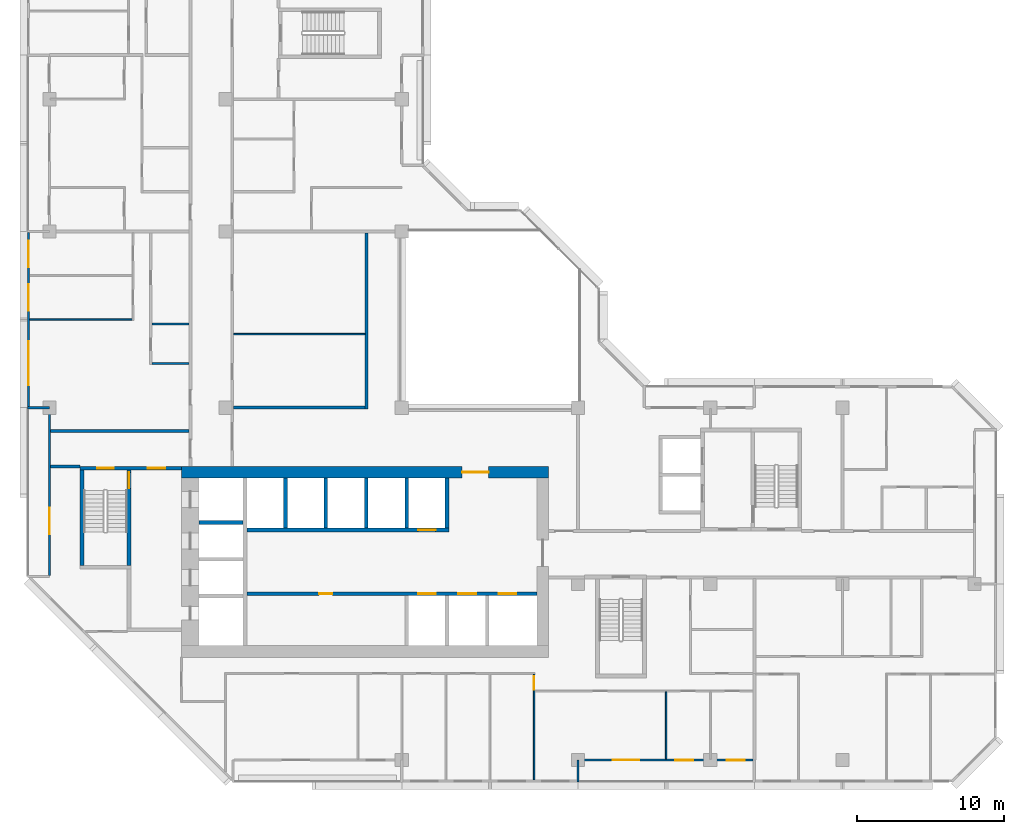
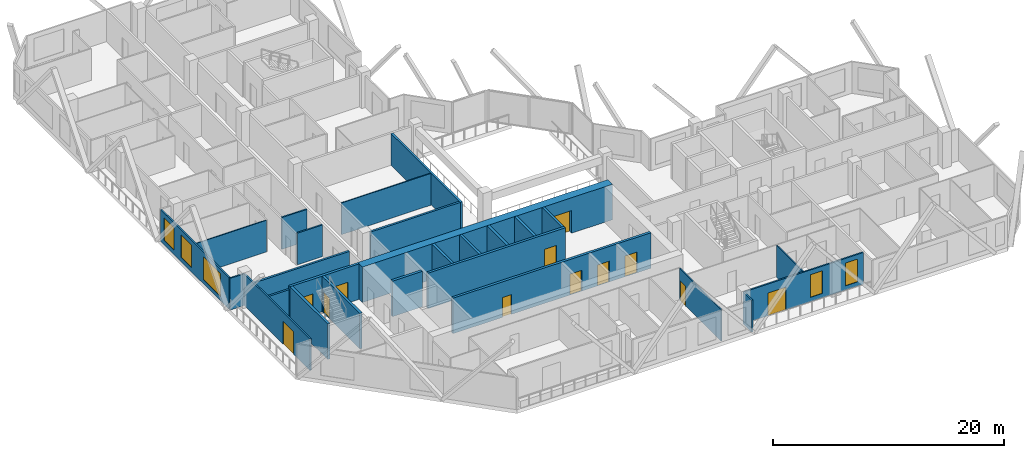
# One storey, part 5 of 14: 27 walls, 12 doors, 5 windows, 17 openings.
"""IFC4 building model written with IfcOpenShell, lengths in metres."""

from ifc_helpers import new_model, si_unit, direction, frame, frame_2d, origin, place, context, subcontext, project, spatial, rectangle, extrude, material, layer, layer_set, type_object, element, fill, save


model = new_model("IFC4")

# Units and contexts
model_context = context("Model", 3, precision=1e-05, world=origin(), true_north=direction((0.0, 1.0)))
body_context = subcontext(model_context, "Body", "Model", "MODEL_VIEW")
ifc_project = project(units=[si_unit("LENGTHUNIT", "METRE"), si_unit("AREAUNIT", "SQUARE_METRE"), si_unit("VOLUMEUNIT", "CUBIC_METRE"), si_unit("PLANEANGLEUNIT", "RADIAN"), si_unit("MASSUNIT", "GRAM", prefix="KILO")], contexts=[model_context])

# Site, building, storey
site_placement = place(None, origin())
site = spatial("IfcSite", under=ifc_project, at=site_placement, CompositionType="ELEMENT")
building_placement = place(site_placement, origin())
building = spatial("IfcBuilding", under=site, at=building_placement, Name="Chenar Terraces", CompositionType="ELEMENT")
storey_placement = place(building_placement, frame((0.0, 0.0, 179.89990234375)))
storey = spatial("IfcBuildingStorey", under=building, at=storey_placement, Name="L41", CompositionType="ELEMENT", Elevation=179.89990234375)

# Wall, openings, doors
ifc_material_1 = material(Name="Concrete C60/75", Category="concrete")
ifc_layer_1 = layer(ifc_material_1, 0.25)
ifc_layer_set_1 = layer_set([ifc_layer_1], Name="Concrete C60/75")
wall_type_1 = type_object("IfcWallType", Name="Core wall 250 Concrete C60/75", PredefinedType="SHEAR", material=ifc_layer_set_1)
wall_1_placement = place(storey_placement, frame((13.449951171875, 11.324951171875, 0.0), z_axis=(0.0, 0.0, 1.0), x_axis=(1.0, 0.0, 0.0)))
wall_1 = element("IfcWall", 1, at=wall_1_placement, inside=storey, type_object=wall_type_1, Name="Core wall SF L41", PredefinedType="SHEAR", context=body_context, shape_type="SweptSolid", body=[
    extrude(rectangle(XDim=19.75, YDim=0.25, at=frame_2d((9.875, 0.0))), origin(), (0.0, 0.0, 1.0), 3.75),
])
opening_1_placement = place(wall_1_placement, frame((11.64990234375, 0.0, 0.0)))
opening_1 = element("IfcOpeningElement", 2, at=opening_1_placement, cuts=wall_1, Name="Opening DL41-LD1", PredefinedType="OPENING", context=body_context, shape_type="SweptSolid", body=[
    extrude(rectangle(XDim=1.199951171875, YDim=2.199951171875, at=frame_2d((0.60009765625, 1.10009765625))), frame((0.0, 0.135009765625, 0.0), z_axis=(0.0, -1.0, 0.0), x_axis=(1.0, 0.0, 0.0)), (0.0, 0.0, 1.0), 0.27001953125),
])
opening_2_placement = place(wall_1_placement, frame((14.39990234375, 0.0, 0.0)))
opening_2 = element("IfcOpeningElement", 3, at=opening_2_placement, cuts=wall_1, Name="Opening DL41-LD2", PredefinedType="OPENING", context=body_context, shape_type="SweptSolid", body=[
    extrude(rectangle(XDim=1.199951171875, YDim=2.199951171875, at=frame_2d((0.60009765625, 1.10009765625))), frame((0.0, 0.135009765625, 0.0), z_axis=(0.0, -1.0, 0.0), x_axis=(1.0, 0.0, 0.0)), (0.0, 0.0, 1.0), 0.27001953125),
])
opening_3_placement = place(wall_1_placement, frame((17.14990234375, 0.0, 0.0)))
opening_3 = element("IfcOpeningElement", 4, at=opening_3_placement, cuts=wall_1, Name="Opening DL41-LD3", PredefinedType="OPENING", context=body_context, shape_type="SweptSolid", body=[
    extrude(rectangle(XDim=1.199951171875, YDim=2.199951171875, at=frame_2d((0.60009765625, 1.10009765625))), frame((0.0, 0.135009765625, 0.0), z_axis=(0.0, -1.0, 0.0), x_axis=(1.0, 0.0, 0.0)), (0.0, 0.0, 1.0), 0.27001953125),
])
opening_4_placement = place(wall_1_placement, frame((4.925048828125, 0.0, 0.0)))
opening_4 = element("IfcOpeningElement", 5, at=opening_4_placement, cuts=wall_1, Name="Opening DL41-C12", PredefinedType="OPENING", context=body_context, shape_type="SweptSolid", body=[
    extrude(rectangle(XDim=0.89990234375, YDim=2.10009765625, at=frame_2d((0.449951171875, 1.050048828125))), frame((0.0, 0.135009765625, 0.0), z_axis=(0.0, -1.0, 0.0), x_axis=(1.0, 0.0, 0.0)), (0.0, 0.0, 1.0), 0.27001953125),
])
ifc_material_2 = material(Name="Stainless steel", Category="steel")
door_type_1 = type_object("IfcDoorType", Name="Lift landing door 1200 x 2200 sliding", OperationType="DOUBLE_DOOR_SLIDING", PredefinedType="DOOR", material=ifc_material_2)
door_1_placement = place(opening_1_placement, origin())
door_1 = element("IfcDoor", 6, at=door_1_placement, inside=storey, type_object=door_type_1, Name="Landing door M1", OperationType="DOUBLE_DOOR_SLIDING", OverallHeight=2.199951171875, OverallWidth=1.199951171875, PredefinedType="DOOR", context=body_context, shape_type="SweptSolid", body=[
    extrude(rectangle(XDim=1.199951171875, YDim=2.199951171875, at=frame_2d((0.60009765625, 1.10009765625))), frame((0.0, 0.02490234375, 0.0), z_axis=(0.0, -1.0, 0.0), x_axis=(1.0, 0.0, 0.0)), (0.0, 0.0, 1.0), 0.050048828125),
])
fill(opening_1, door_1)
door_2_placement = place(opening_2_placement, origin())
door_2 = element("IfcDoor", 7, at=door_2_placement, inside=storey, type_object=door_type_1, Name="Landing door M2", OperationType="DOUBLE_DOOR_SLIDING", OverallHeight=2.199951171875, OverallWidth=1.199951171875, PredefinedType="DOOR", context=body_context, shape_type="SweptSolid", body=[
    extrude(rectangle(XDim=1.199951171875, YDim=2.199951171875, at=frame_2d((0.60009765625, 1.10009765625))), frame((0.0, 0.02490234375, 0.0), z_axis=(0.0, -1.0, 0.0), x_axis=(1.0, 0.0, 0.0)), (0.0, 0.0, 1.0), 0.050048828125),
])
fill(opening_2, door_2)
door_3_placement = place(opening_3_placement, origin())
door_3 = element("IfcDoor", 8, at=door_3_placement, inside=storey, type_object=door_type_1, Name="Landing door M3", OperationType="DOUBLE_DOOR_SLIDING", OverallHeight=2.199951171875, OverallWidth=1.199951171875, PredefinedType="DOOR", context=body_context, shape_type="SweptSolid", body=[
    extrude(rectangle(XDim=1.199951171875, YDim=2.199951171875, at=frame_2d((0.60009765625, 1.10009765625))), frame((0.0, 0.02490234375, 0.0), z_axis=(0.0, -1.0, 0.0), x_axis=(1.0, 0.0, 0.0)), (0.0, 0.0, 1.0), 0.050048828125),
])
fill(opening_3, door_3)
ifc_material_3 = material(Name="Steel-framed fire-resisting door leaf", Category="steel")
door_type_2 = type_object("IfcDoorType", Name="Riser fire door FD60 900 x 2100", OperationType="SINGLE_SWING_LEFT", PredefinedType="DOOR", material=ifc_material_3)
door_4_placement = place(opening_4_placement, frame((0.89990234375, 0.0, 0.0), z_axis=(0.0, 0.0, 1.0), x_axis=(-1.0, 0.0, 0.0)))
door_4 = element("IfcDoor", 9, at=door_4_placement, inside=storey, type_object=door_type_2, Name="Core room door DL41-C12", OperationType="SINGLE_SWING_RIGHT", OverallHeight=2.10009765625, OverallWidth=0.89990234375, PredefinedType="DOOR", context=body_context, shape_type="SweptSolid", body=[
    extrude(rectangle(XDim=0.89990234375, YDim=2.10009765625, at=frame_2d((0.449951171875, 1.050048828125))), frame((0.0, 0.02490234375, 0.0), z_axis=(0.0, -1.0, 0.0), x_axis=(1.0, 0.0, 0.0)), (0.0, 0.0, 1.0), 0.050048828125),
])
fill(opening_4, door_4)

# Wall, opening, door
wall_2_placement = place(storey_placement, frame((13.449951171875, 15.675048828125, 0.0), z_axis=(0.0, 0.0, 1.0), x_axis=(1.0, 0.0, 0.0)))
wall_2 = element("IfcWall", 10, at=wall_2_placement, inside=storey, type_object=wall_type_1, Name="Core wall NF L41", PredefinedType="SHEAR", context=body_context, shape_type="SweptSolid", body=[
    extrude(rectangle(XDim=13.75, YDim=0.25, at=frame_2d((6.875, 0.0))), origin(), (0.0, 0.0, 1.0), 3.75),
])
opening_5_placement = place(wall_2_placement, frame((11.64990234375, 0.0, 0.0)))
opening_5 = element("IfcOpeningElement", 11, at=opening_5_placement, cuts=wall_2, Name="Opening DL41-LD4", PredefinedType="OPENING", context=body_context, shape_type="SweptSolid", body=[
    extrude(rectangle(XDim=1.199951171875, YDim=2.199951171875, at=frame_2d((0.60009765625, 1.10009765625))), frame((0.0, 0.135009765625, 0.0), z_axis=(0.0, -1.0, 0.0), x_axis=(1.0, 0.0, 0.0)), (0.0, 0.0, 1.0), 0.27001953125),
])
door_5_placement = place(opening_5_placement, origin())
door_5 = element("IfcDoor", 12, at=door_5_placement, inside=storey, type_object=door_type_1, Name="Landing door M4", OperationType="DOUBLE_DOOR_SLIDING", OverallHeight=2.199951171875, OverallWidth=1.199951171875, PredefinedType="DOOR", context=body_context, shape_type="SweptSolid", body=[
    extrude(rectangle(XDim=1.199951171875, YDim=2.199951171875, at=frame_2d((0.60009765625, 1.10009765625))), frame((0.0, 0.02490234375, 0.0), z_axis=(0.0, -1.0, 0.0), x_axis=(1.0, 0.0, 0.0)), (0.0, 0.0, 1.0), 0.050048828125),
])
fill(opening_5, door_5)

# Walls
wall_3_placement = place(storey_placement, frame((10.199951171875, 16.175048828125, 0.0), z_axis=(0.0, 0.0, 1.0), x_axis=(1.0, 0.0, 0.0)))
element("IfcWall", 13, at=wall_3_placement, inside=storey, type_object=wall_type_1, Name="Core wall HW2 L41", PredefinedType="SHEAR", context=body_context, shape_type="SweptSolid", body=[
    extrude(rectangle(XDim=3.0, YDim=0.25, at=frame_2d((1.5, 0.0))), origin(), (0.0, 0.0, 1.0), 3.75),
])
for number, where, z_axis, x_axis, name in (
    (14, (16.074951171875, 15.800048828125, 0.0), (0.0, 0.0, 1.0), (0.0, 1.0, 0.0), "Core wall NS0 L41"),
    (15, (18.824951171875, 15.800048828125, 0.0), (0.0, 0.0, 1.0), (0.0, 1.0, 0.0), "Core wall NS1 L41"),
    (16, (21.574951171875, 15.800048828125, 0.0), (0.0, 0.0, 1.0), (0.0, 1.0, 0.0), "Core wall NS2 L41"),
    (17, (24.324951171875, 15.800048828125, 0.0), (0.0, 0.0, 1.0), (0.0, 1.0, 0.0), "Core wall NS3 L41"),
    (18, (27.074951171875, 15.800048828125, 0.0), (0.0, 0.0, 1.0), (0.0, 1.0, 0.0), "Core wall NE L41"),
):
    element("IfcWall", number, at=place(storey_placement, frame(where, z_axis=z_axis, x_axis=x_axis)), inside=storey, type_object=wall_type_1, Name=name, PredefinedType="SHEAR", context=body_context, shape_type="SweptSolid", body=[
        extrude(rectangle(XDim=3.39990234375, YDim=0.25, at=frame_2d((1.699951171875, 0.0))), origin(), (0.0, 0.0, 1.0), 3.75),
    ])

# Wall, openings, doors
wall_4_placement = place(storey_placement, frame((2.10009765625, 19.875, 0.0), z_axis=(0.0, 0.0, 1.0), x_axis=(1.0, 0.0, 0.0)))
wall_4 = element("IfcWall", 19, at=wall_4_placement, inside=storey, type_object=wall_type_1, Name="Core wall A_N L41", PredefinedType="SHEAR", context=body_context, shape_type="SweptSolid", body=[
    extrude(rectangle(XDim=6.89990234375, YDim=0.25, at=frame_2d((3.449951171875, 0.0))), origin(), (0.0, 0.0, 1.0), 3.75),
])
opening_6_placement = place(wall_4_placement, frame((1.175048828125, 0.0, 0.0)))
opening_6 = element("IfcOpeningElement", 20, at=opening_6_placement, cuts=wall_4, Name="Opening DL41-C5", PredefinedType="OPENING", context=body_context, shape_type="SweptSolid", body=[
    extrude(rectangle(XDim=1.10009765625, YDim=2.199951171875, at=frame_2d((0.550048828125, 1.10009765625))), frame((0.0, 0.135009765625, 0.0), z_axis=(0.0, -1.0, 0.0), x_axis=(1.0, 0.0, 0.0)), (0.0, 0.0, 1.0), 0.27001953125),
])
opening_7_placement = place(wall_4_placement, frame((4.60009765625, 0.0, 0.0)))
opening_7 = element("IfcOpeningElement", 21, at=opening_7_placement, cuts=wall_4, Name="Opening DL41-C6", PredefinedType="OPENING", context=body_context, shape_type="SweptSolid", body=[
    extrude(rectangle(XDim=1.199951171875, YDim=2.199951171875, at=frame_2d((0.60009765625, 1.10009765625))), frame((0.0, 0.135009765625, 0.0), z_axis=(0.0, -1.0, 0.0), x_axis=(1.0, 0.0, 0.0)), (0.0, 0.0, 1.0), 0.27001953125),
])
ifc_material_4 = material(Name="Steel-framed fire-resisting door leaf", Category="steel")
door_type_3 = type_object("IfcDoorType", Name="Lobby fire door FD60 1200 x 2200", OperationType="SINGLE_SWING_LEFT", PredefinedType="DOOR", material=ifc_material_4)
door_6_placement = place(opening_7_placement, frame((1.199951171875, 0.0, 0.0), z_axis=(0.0, 0.0, 1.0), x_axis=(-1.0, 0.0, 0.0)))
door_6 = element("IfcDoor", 22, at=door_6_placement, inside=storey, type_object=door_type_3, Name="Core door DL41-C6", OperationType="SINGLE_SWING_LEFT", OverallHeight=2.199951171875, OverallWidth=1.199951171875, PredefinedType="DOOR", context=body_context, shape_type="SweptSolid", body=[
    extrude(rectangle(XDim=1.199951171875, YDim=2.199951171875, at=frame_2d((0.60009765625, 1.10009765625))), frame((0.0, 0.02490234375, 0.0), z_axis=(0.0, -1.0, 0.0), x_axis=(1.0, 0.0, 0.0)), (0.0, 0.0, 1.0), 0.050048828125),
])
fill(opening_7, door_6)
ifc_material_5 = material(Name="Steel-framed fire-resisting door leaf", Category="steel")
door_type_4 = type_object("IfcDoorType", Name="Stair fire door FD60 1100 x 2200", OperationType="SINGLE_SWING_LEFT", PredefinedType="DOOR", material=ifc_material_5)
door_7_placement = place(opening_6_placement, origin())
door_7 = element("IfcDoor", 23, at=door_7_placement, inside=storey, type_object=door_type_4, Name="Stair door DL41-C5", OperationType="SINGLE_SWING_LEFT", OverallHeight=2.199951171875, OverallWidth=1.10009765625, PredefinedType="DOOR", context=body_context, shape_type="SweptSolid", body=[
    extrude(rectangle(XDim=1.10009765625, YDim=2.199951171875, at=frame_2d((0.550048828125, 1.10009765625))), frame((0.0, 0.02490234375, 0.0), z_axis=(0.0, -1.0, 0.0), x_axis=(1.0, 0.0, 0.0)), (0.0, 0.0, 1.0), 0.050048828125),
])
fill(opening_6, door_7)

# Wall
wall_5_placement = place(storey_placement, frame((2.22509765625, 13.25, 0.0), z_axis=(0.0, 0.0, 1.0), x_axis=(0.0, 1.0, 0.0)))
element("IfcWall", 24, at=wall_5_placement, inside=storey, type_object=wall_type_1, Name="Core wall ST1_W L41", PredefinedType="SHEAR", context=body_context, shape_type="SweptSolid", body=[
    extrude(rectangle(XDim=6.5, YDim=0.25, at=frame_2d((3.25, 0.0))), origin(), (0.0, 0.0, 1.0), 3.75),
])

# Wall, opening, door
wall_6_placement = place(storey_placement, frame((5.425048828125, 13.25, 0.0), z_axis=(0.0, 0.0, 1.0), x_axis=(0.0, 1.0, 0.0)))
wall_6 = element("IfcWall", 25, at=wall_6_placement, inside=storey, type_object=wall_type_1, Name="Core wall ST1_E L41", PredefinedType="SHEAR", context=body_context, shape_type="SweptSolid", body=[
    extrude(rectangle(XDim=6.5, YDim=0.25, at=frame_2d((3.25, 0.0))), origin(), (0.0, 0.0, 1.0), 3.75),
])
opening_8_placement = place(wall_6_placement, frame((5.25, 0.0, 0.0)))
opening_8 = element("IfcOpeningElement", 26, at=opening_8_placement, cuts=wall_6, Name="Opening DL41-C3", PredefinedType="OPENING", context=body_context, shape_type="SweptSolid", body=[
    extrude(rectangle(XDim=1.10009765625, YDim=2.199951171875, at=frame_2d((0.550048828125, 1.10009765625))), frame((0.0, 0.135009765625, 0.0), z_axis=(0.0, -1.0, 0.0), x_axis=(1.0, 0.0, 0.0)), (0.0, 0.0, 1.0), 0.27001953125),
])
door_8_placement = place(opening_8_placement, origin())
door_8 = element("IfcDoor", 27, at=door_8_placement, inside=storey, type_object=door_type_4, Name="Stair door DL41-C3", OperationType="SINGLE_SWING_RIGHT", OverallHeight=2.199951171875, OverallWidth=1.10009765625, PredefinedType="DOOR", context=body_context, shape_type="SweptSolid", body=[
    extrude(rectangle(XDim=1.10009765625, YDim=2.199951171875, at=frame_2d((0.550048828125, 1.10009765625))), frame((0.0, 0.02490234375, 0.0), z_axis=(0.0, -1.0, 0.0), x_axis=(1.0, 0.0, 0.0)), (0.0, 0.0, 1.0), 0.050048828125),
])
fill(opening_8, door_8)

ifc_material_6 = material(Name="Concrete C60/75", Category="concrete")
ifc_layer_2 = layer(ifc_material_6, 0.800048828125)
ifc_layer_set_2 = layer_set([ifc_layer_2], Name="Concrete C60/75")
wall_type_2 = type_object("IfcWallType", Name="Core wall 800 Concrete C60/75", PredefinedType="SHEAR", material=ifc_layer_set_2)
wall_7_placement = place(storey_placement, frame((9.0, 19.60009765625, 0.0), z_axis=(0.0, 0.0, 1.0), x_axis=(1.0, 0.0, 0.0)))
wall_7 = element("IfcWall", 28, at=wall_7_placement, inside=storey, type_object=wall_type_2, Name="Core wall N L41", PredefinedType="SHEAR", context=body_context, shape_type="SweptSolid", body=[
    extrude(rectangle(XDim=25.0, YDim=0.800048828125, at=frame_2d((12.5, 0.0))), origin(), (0.0, 0.0, 1.0), 3.75),
])
opening_9_placement = place(wall_7_placement, frame((19.10009765625, 0.0, 0.0)))
opening_9 = element("IfcOpeningElement", 29, at=opening_9_placement, cuts=wall_7, Name="Opening DL41-C2", PredefinedType="OPENING", context=body_context, shape_type="SweptSolid", body=[
    extrude(rectangle(XDim=1.800048828125, YDim=2.39990234375, at=frame_2d((0.89990234375, 1.199951171875))), frame((0.0, 0.409912109375, 0.0), z_axis=(0.0, -1.0, 0.0), x_axis=(1.0, 0.0, 0.0)), (0.0, 0.0, 1.0), 0.820068359375),
])
ifc_material_7 = material(Name="Steel-framed fire-resisting door leaf", Category="steel")
door_type_5 = type_object("IfcDoorType", Name="Core entrance double fire door FD60 1800 x 2400", OperationType="DOUBLE_DOOR_SINGLE_SWING", PredefinedType="DOOR", material=ifc_material_7)
door_9_placement = place(opening_9_placement, frame((1.800048828125, 0.0, 0.0), z_axis=(0.0, 0.0, 1.0), x_axis=(-1.0, 0.0, 0.0)))
door_9 = element("IfcDoor", 30, at=door_9_placement, inside=storey, type_object=door_type_5, Name="Core door DL41-C2", OperationType="DOUBLE_DOOR_SINGLE_SWING", OverallHeight=2.39990234375, OverallWidth=1.800048828125, PredefinedType="DOOR", context=body_context, shape_type="SweptSolid", body=[
    extrude(rectangle(XDim=1.800048828125, YDim=2.39990234375, at=frame_2d((0.89990234375, 1.199951171875))), frame((0.0, 0.02490234375, 0.0), z_axis=(0.0, -1.0, 0.0), x_axis=(1.0, 0.0, 0.0)), (0.0, 0.0, 1.0), 0.050048828125),
])
fill(opening_9, door_9)

# Walls
ifc_material_8 = material(Name="Gypsum board on steel studs with fire boards", Category="steel")
ifc_layer_3 = layer(ifc_material_8, 0.199951171875)
ifc_layer_set_3 = layer_set([ifc_layer_3], Name="Gypsum board on steel studs with fire boards")
wall_type_3 = type_object("IfcWallType", Name="Corridor wall 200", PredefinedType="PARTITIONING", material=ifc_layer_set_3)
wall_8_placement = place(storey_placement, frame((0.073974609375, 20.0, 0.0), z_axis=(0.0, 0.0, 1.0), x_axis=(1.0, 0.0, 0.0)))
element("IfcWall", 31, at=wall_8_placement, inside=storey, type_object=wall_type_3, Name="Partition L41-008", PredefinedType="PARTITIONING", context=body_context, shape_type="SweptSolid", body=[
    extrude(rectangle(XDim=2.026123046875, YDim=0.199951171875, at=frame_2d((1.01318359375, 0.0))), origin(), (0.0, 0.0, 1.0), 3.35009765625),
])
wall_9_placement = place(storey_placement, frame((0.073974609375, 22.39990234375, 0.0), z_axis=(0.0, 0.0, 1.0), x_axis=(1.0, 0.0, 0.0)))
element("IfcWall", 32, at=wall_9_placement, inside=storey, type_object=wall_type_3, Name="Partition L41-009", PredefinedType="PARTITIONING", context=body_context, shape_type="SweptSolid", body=[
    extrude(rectangle(XDim=9.426025390625, YDim=0.199951171875, at=frame_2d((4.712890625, 0.0))), origin(), (0.0, 0.0, 1.0), 3.35009765625),
])
wall_10_placement = place(storey_placement, frame((12.550048828125, 24.0, 0.0), z_axis=(0.0, 0.0, 1.0), x_axis=(1.0, 0.0, 0.0)))
element("IfcWall", 33, at=wall_10_placement, inside=storey, type_object=wall_type_3, Name="Partition L41-035", PredefinedType="PARTITIONING", context=body_context, shape_type="SweptSolid", body=[
    extrude(rectangle(XDim=8.949951171875, YDim=0.199951171875, at=frame_2d((4.47509765625, 0.0))), origin(), (0.0, 0.0, 1.0), 3.35009765625),
])
wall_11_placement = place(storey_placement, frame((21.60009765625, 23.89990234375, 0.0), z_axis=(0.0, 0.0, 1.0), x_axis=(0.0, 1.0, 0.0)))
element("IfcWall", 34, at=wall_11_placement, inside=storey, type_object=wall_type_3, Name="Partition L41-053", PredefinedType="PARTITIONING", context=body_context, shape_type="SweptSolid", body=[
    extrude(rectangle(XDim=12.0, YDim=0.199951171875, at=frame_2d((6.0, 0.0))), origin(), (0.0, 0.0, 1.0), 3.35009765625),
])

# Wall, openings, windows
ifc_material_9 = material(Name="Aluminium framed glazing", Category="aluminium")
ifc_layer_4 = layer(ifc_material_9, 0.14990234375)
ifc_layer_set_4 = layer_set([ifc_layer_4], Name="Aluminium framed glazing")
wall_type_4 = type_object("IfcWallType", Name="Glazed flush facade wall 150", PredefinedType="SOLIDWALL", material=ifc_layer_set_4)
wall_12_placement = place(storey_placement, frame((-1.425048828125, 35.925048828125, 0.0), z_axis=(0.0, 0.0, 1.0), x_axis=(0.0, -1.0, 0.0)))
wall_12 = element("IfcWall", 35, at=wall_12_placement, inside=storey, type_object=wall_type_4, Name="Glazed flush facade wall", PredefinedType="SOLIDWALL", context=body_context, shape_type="SweptSolid", body=[
    extrude(rectangle(XDim=11.85009765625, YDim=0.14990234375, at=frame_2d((5.925048828125, 0.0))), origin(), (0.0, 0.0, 1.0), 3.35009765625),
])
opening_10_placement = place(wall_12_placement, frame((0.5625, 0.0, 0.449951171875)))
opening_10 = element("IfcOpeningElement", 36, at=opening_10_placement, cuts=wall_12, Name="Opening W180x240", PredefinedType="OPENING", context=body_context, shape_type="SweptSolid", body=[
    extrude(rectangle(XDim=1.800048828125, YDim=2.39990234375, at=frame_2d((0.89990234375, 1.199951171875))), frame((0.0, 0.0849609375, 0.0), z_axis=(0.0, -1.0, 0.0), x_axis=(1.0, 0.0, 0.0)), (0.0, 0.0, 1.0), 0.169921875),
])
opening_11_placement = place(wall_12_placement, frame((3.52490234375, 0.0, 0.449951171875)))
opening_11 = element("IfcOpeningElement", 37, at=opening_11_placement, cuts=wall_12, Name="Opening W180x240", PredefinedType="OPENING", context=body_context, shape_type="SweptSolid", body=[
    extrude(rectangle(XDim=1.800048828125, YDim=2.39990234375, at=frame_2d((0.89990234375, 1.199951171875))), frame((0.0, 0.0849609375, 0.0), z_axis=(0.0, -1.0, 0.0), x_axis=(1.0, 0.0, 0.0)), (0.0, 0.0, 1.0), 0.169921875),
])
opening_12_placement = place(wall_12_placement, frame((7.387451171875, 0.0, 0.449951171875)))
opening_12 = element("IfcOpeningElement", 38, at=opening_12_placement, cuts=wall_12, Name="Opening W300x240", PredefinedType="OPENING", context=body_context, shape_type="SweptSolid", body=[
    extrude(rectangle(XDim=3.0, YDim=2.39990234375, at=frame_2d((1.5, 1.199951171875))), frame((0.0, 0.0849609375, 0.0), z_axis=(0.0, -1.0, 0.0), x_axis=(1.0, 0.0, 0.0)), (0.0, 0.0, 1.0), 0.169921875),
])
ifc_material_10 = material(Name="Low emissivity double glazing, aluminium frame", Category="aluminium")
window_type_1 = type_object("IfcWindowType", Name="Fixed light 1800 x 2400", PartitioningType="SINGLE_PANEL", PredefinedType="WINDOW", material=ifc_material_10)
window_1_placement = place(opening_10_placement, origin())
window_1 = element("IfcWindow", 39, at=window_1_placement, inside=storey, type_object=window_type_1, Name="Window", OverallHeight=2.39990234375, OverallWidth=1.800048828125, PartitioningType="SINGLE_PANEL", PredefinedType="WINDOW", context=body_context, shape_type="SweptSolid", body=[
    extrude(rectangle(XDim=1.800048828125, YDim=2.39990234375, at=frame_2d((0.89990234375, 1.199951171875))), frame((0.0, 0.030029296875, 0.0), z_axis=(0.0, -1.0, 0.0), x_axis=(1.0, 0.0, 0.0)), (0.0, 0.0, 1.0), 0.06005859375),
])
fill(opening_10, window_1)
window_2_placement = place(opening_11_placement, origin())
window_2 = element("IfcWindow", 40, at=window_2_placement, inside=storey, type_object=window_type_1, Name="Window", OverallHeight=2.39990234375, OverallWidth=1.800048828125, PartitioningType="SINGLE_PANEL", PredefinedType="WINDOW", context=body_context, shape_type="SweptSolid", body=[
    extrude(rectangle(XDim=1.800048828125, YDim=2.39990234375, at=frame_2d((0.89990234375, 1.199951171875))), frame((0.0, 0.030029296875, 0.0), z_axis=(0.0, -1.0, 0.0), x_axis=(1.0, 0.0, 0.0)), (0.0, 0.0, 1.0), 0.06005859375),
])
fill(opening_11, window_2)
ifc_material_11 = material(Name="Low emissivity double glazing, aluminium frame", Category="aluminium")
window_type_2 = type_object("IfcWindowType", Name="Fixed light 3000 x 2400", PartitioningType="SINGLE_PANEL", PredefinedType="WINDOW", material=ifc_material_11)
window_3_placement = place(opening_12_placement, origin())
window_3 = element("IfcWindow", 41, at=window_3_placement, inside=storey, type_object=window_type_2, Name="Window", OverallHeight=2.39990234375, OverallWidth=3.0, PartitioningType="SINGLE_PANEL", PredefinedType="WINDOW", context=body_context, shape_type="SweptSolid", body=[
    extrude(rectangle(XDim=3.0, YDim=2.39990234375, at=frame_2d((1.5, 1.199951171875))), frame((0.0, 0.030029296875, 0.0), z_axis=(0.0, -1.0, 0.0), x_axis=(1.0, 0.0, 0.0)), (0.0, 0.0, 1.0), 0.06005859375),
])
fill(opening_12, window_3)

# Wall, opening, door
ifc_material_12 = material(Name="Aluminium framed glazing", Category="aluminium")
ifc_layer_5 = layer(ifc_material_12, 0.14990234375)
ifc_layer_set_5 = layer_set([ifc_layer_5], Name="Aluminium framed glazing")
wall_type_5 = type_object("IfcWallType", Name="Glazed loggia back wall 150", PredefinedType="SOLIDWALL", material=ifc_layer_set_5)
wall_13_placement = place(storey_placement, frame((0.0, 23.925048828125, 0.0), z_axis=(0.0, 0.0, 1.0), x_axis=(0.0, -1.0, 0.0)))
wall_13 = element("IfcWall", 42, at=wall_13_placement, inside=storey, type_object=wall_type_5, Name="Glazed loggia back wall", PredefinedType="SOLIDWALL", context=body_context, shape_type="SweptSolid", body=[
    extrude(rectangle(XDim=11.35009765625, YDim=0.14990234375, at=frame_2d((5.675048828125, 0.0))), origin(), (0.0, 0.0, 1.0), 3.35009765625),
])
opening_13_placement = place(wall_13_placement, frame((6.737548828125, 0.0, 0.0)))
opening_13 = element("IfcOpeningElement", 43, at=opening_13_placement, cuts=wall_13, Name="Opening DL41-G4", PredefinedType="OPENING", context=body_context, shape_type="SweptSolid", body=[
    extrude(rectangle(XDim=1.800048828125, YDim=2.39990234375, at=frame_2d((0.89990234375, 1.199951171875))), frame((0.0, 0.0849609375, 0.0), z_axis=(0.0, -1.0, 0.0), x_axis=(1.0, 0.0, 0.0)), (0.0, 0.0, 1.0), 0.169921875),
])
ifc_material_13 = material(Name="Low emissivity double glazing, aluminium frame", Category="aluminium")
door_type_6 = type_object("IfcDoorType", Name="Loggia glazed double door 1800 x 2400", OperationType="DOUBLE_DOOR_SINGLE_SWING", PredefinedType="DOOR", material=ifc_material_13)
door_10_placement = place(opening_13_placement, frame((1.800048828125, 0.0, 0.0), z_axis=(0.0, 0.0, 1.0), x_axis=(-1.0, 0.0, 0.0)))
door_10 = element("IfcDoor", 44, at=door_10_placement, inside=storey, type_object=door_type_6, Name="Loggia glazed door", OperationType="DOUBLE_DOOR_SINGLE_SWING", OverallHeight=2.39990234375, OverallWidth=1.800048828125, PredefinedType="DOOR", context=body_context, shape_type="SweptSolid", body=[
    extrude(rectangle(XDim=1.800048828125, YDim=2.39990234375, at=frame_2d((0.89990234375, 1.199951171875))), frame((0.0, 0.02490234375, 0.0), z_axis=(0.0, -1.0, 0.0), x_axis=(1.0, 0.0, 0.0)), (0.0, 0.0, 1.0), 0.050048828125),
])
fill(opening_13, door_10)

# Wall, openings, windows, door
wall_14_placement = place(storey_placement, frame((36.074951171875, 0.0, 0.0), z_axis=(0.0, 0.0, 1.0), x_axis=(1.0, 0.0, 0.0)))
wall_14 = element("IfcWall", 45, at=wall_14_placement, inside=storey, type_object=wall_type_5, Name="Glazed loggia back wall", PredefinedType="SOLIDWALL", context=body_context, shape_type="SweptSolid", body=[
    extrude(rectangle(XDim=11.85009765625, YDim=0.14990234375, at=frame_2d((5.925048828125, 0.0))), origin(), (0.0, 0.0, 1.0), 3.35009765625),
])
opening_14_placement = place(wall_14_placement, frame((2.300048828125, 0.0, 0.0)))
opening_14 = element("IfcOpeningElement", 46, at=opening_14_placement, cuts=wall_14, Name="Opening DL41-G6", PredefinedType="OPENING", context=body_context, shape_type="SweptSolid", body=[
    extrude(rectangle(XDim=1.800048828125, YDim=2.39990234375, at=frame_2d((0.89990234375, 1.199951171875))), frame((0.0, 0.0849609375, 0.0), z_axis=(0.0, -1.0, 0.0), x_axis=(1.0, 0.0, 0.0)), (0.0, 0.0, 1.0), 0.169921875),
])
opening_15_placement = place(wall_14_placement, frame((6.550048828125, 0.0, 0.449951171875)))
opening_15 = element("IfcOpeningElement", 47, at=opening_15_placement, cuts=wall_14, Name="Opening W120x240", PredefinedType="OPENING", context=body_context, shape_type="SweptSolid", body=[
    extrude(rectangle(XDim=1.199951171875, YDim=2.39990234375, at=frame_2d((0.60009765625, 1.199951171875))), frame((0.0, 0.0849609375, 0.0), z_axis=(0.0, -1.0, 0.0), x_axis=(1.0, 0.0, 0.0)), (0.0, 0.0, 1.0), 0.169921875),
])
opening_16_placement = place(wall_14_placement, frame((10.0625, 0.0, 0.449951171875)))
opening_16 = element("IfcOpeningElement", 48, at=opening_16_placement, cuts=wall_14, Name="Opening W120x240", PredefinedType="OPENING", context=body_context, shape_type="SweptSolid", body=[
    extrude(rectangle(XDim=1.199951171875, YDim=2.39990234375, at=frame_2d((0.60009765625, 1.199951171875))), frame((0.0, 0.0849609375, 0.0), z_axis=(0.0, -1.0, 0.0), x_axis=(1.0, 0.0, 0.0)), (0.0, 0.0, 1.0), 0.169921875),
])
ifc_material_14 = material(Name="Low emissivity double glazing, aluminium frame", Category="aluminium")
window_type_3 = type_object("IfcWindowType", Name="Fixed light 1200 x 2400", PartitioningType="SINGLE_PANEL", PredefinedType="WINDOW", material=ifc_material_14)
window_4_placement = place(opening_15_placement, origin())
window_4 = element("IfcWindow", 49, at=window_4_placement, inside=storey, type_object=window_type_3, Name="Window", OverallHeight=2.39990234375, OverallWidth=1.199951171875, PartitioningType="SINGLE_PANEL", PredefinedType="WINDOW", context=body_context, shape_type="SweptSolid", body=[
    extrude(rectangle(XDim=1.199951171875, YDim=2.39990234375, at=frame_2d((0.60009765625, 1.199951171875))), frame((0.0, 0.030029296875, 0.0), z_axis=(0.0, -1.0, 0.0), x_axis=(1.0, 0.0, 0.0)), (0.0, 0.0, 1.0), 0.06005859375),
])
fill(opening_15, window_4)
window_5_placement = place(opening_16_placement, origin())
window_5 = element("IfcWindow", 50, at=window_5_placement, inside=storey, type_object=window_type_3, Name="Window", OverallHeight=2.39990234375, OverallWidth=1.199951171875, PartitioningType="SINGLE_PANEL", PredefinedType="WINDOW", context=body_context, shape_type="SweptSolid", body=[
    extrude(rectangle(XDim=1.199951171875, YDim=2.39990234375, at=frame_2d((0.60009765625, 1.199951171875))), frame((0.0, 0.030029296875, 0.0), z_axis=(0.0, -1.0, 0.0), x_axis=(1.0, 0.0, 0.0)), (0.0, 0.0, 1.0), 0.06005859375),
])
fill(opening_16, window_5)
door_11_placement = place(opening_14_placement, frame((1.800048828125, 0.0, 0.0), z_axis=(0.0, 0.0, 1.0), x_axis=(-1.0, 0.0, 0.0)))
door_11 = element("IfcDoor", 51, at=door_11_placement, inside=storey, type_object=door_type_6, Name="Loggia glazed door", OperationType="DOUBLE_DOOR_SINGLE_SWING", OverallHeight=2.39990234375, OverallWidth=1.800048828125, PredefinedType="DOOR", context=body_context, shape_type="SweptSolid", body=[
    extrude(rectangle(XDim=1.800048828125, YDim=2.39990234375, at=frame_2d((0.89990234375, 1.199951171875))), frame((0.0, 0.02490234375, 0.0), z_axis=(0.0, -1.0, 0.0), x_axis=(1.0, 0.0, 0.0)), (0.0, 0.0, 1.0), 0.050048828125),
])
fill(opening_14, door_11)

# Walls
ifc_material_15 = material(Name="Gypsum board on steel studs", Category="steel")
ifc_layer_6 = layer(ifc_material_15, 0.10009765625)
ifc_layer_set_6 = layer_set([ifc_layer_6], Name="Gypsum board on steel studs")
wall_type_6 = type_object("IfcWallType", Name="Gypsum partition 100", PredefinedType="PARTITIONING", material=ifc_layer_set_6)
wall_15_placement = place(storey_placement, frame((-1.35009765625, 30.0, 0.0), z_axis=(0.0, 0.0, 1.0), x_axis=(1.0, 0.0, 0.0)))
element("IfcWall", 52, at=wall_15_placement, inside=storey, type_object=wall_type_6, Name="Partition L41-002", PredefinedType="PARTITIONING", context=body_context, shape_type="SweptSolid", body=[
    extrude(rectangle(XDim=7.0, YDim=0.10009765625, at=frame_2d((3.5, 0.0))), origin(), (0.0, 0.0, 1.0), 3.35009765625),
])
wall_16_placement = place(storey_placement, frame((12.550048828125, 29.0, 0.0), z_axis=(0.0, 0.0, 1.0), x_axis=(1.0, 0.0, 0.0)))
element("IfcWall", 53, at=wall_16_placement, inside=storey, type_object=wall_type_6, Name="Partition L41-036", PredefinedType="PARTITIONING", context=body_context, shape_type="SweptSolid", body=[
    extrude(rectangle(XDim=8.949951171875, YDim=0.10009765625, at=frame_2d((4.47509765625, 0.0))), origin(), (0.0, 0.0, 1.0), 3.35009765625),
])

# Wall, opening, door
wall_17_placement = place(storey_placement, frame((33.0, -1.35009765625, 0.0), z_axis=(0.0, 0.0, 1.0), x_axis=(0.0, 1.0, 0.0)))
wall_17 = element("IfcWall", 54, at=wall_17_placement, inside=storey, type_object=wall_type_6, Name="Partition L41-057", PredefinedType="PARTITIONING", context=body_context, shape_type="SweptSolid", body=[
    extrude(rectangle(XDim=7.2001953125, YDim=0.10009765625, at=frame_2d((3.60009765625, 0.0))), origin(), (0.0, 0.0, 1.0), 3.35009765625),
])
opening_17_placement = place(wall_17_placement, frame((6.14990234375, 0.0, 0.0)))
opening_17 = element("IfcOpeningElement", 55, at=opening_17_placement, cuts=wall_17, Name="Opening DL41-44", PredefinedType="OPENING", context=body_context, shape_type="SweptSolid", body=[
    extrude(rectangle(XDim=0.89990234375, YDim=2.10009765625, at=frame_2d((0.449951171875, 1.050048828125))), frame((0.0, 0.06005859375, 0.0), z_axis=(0.0, -1.0, 0.0), x_axis=(1.0, 0.0, 0.0)), (0.0, 0.0, 1.0), 0.1201171875),
])
ifc_material_16 = material(Name="Veneered timber door leaf", Category="wood")
door_type_7 = type_object("IfcDoorType", Name="Door 900 x 2100", OperationType="SINGLE_SWING_LEFT", PredefinedType="DOOR", material=ifc_material_16)
door_12_placement = place(opening_17_placement, origin())
door_12 = element("IfcDoor", 56, at=door_12_placement, inside=storey, type_object=door_type_7, Name="Door DL41-44", OperationType="SINGLE_SWING_RIGHT", OverallHeight=2.10009765625, OverallWidth=0.89990234375, PredefinedType="DOOR", context=body_context, shape_type="SweptSolid", body=[
    extrude(rectangle(XDim=0.89990234375, YDim=2.10009765625, at=frame_2d((0.449951171875, 1.050048828125))), frame((0.0, 0.02490234375, 0.0), z_axis=(0.0, -1.0, 0.0), x_axis=(1.0, 0.0, 0.0)), (0.0, 0.0, 1.0), 0.050048828125),
])
fill(opening_17, door_12)

# Walls
wall_18_placement = place(storey_placement, frame((42.0, 0.073974609375, 0.0), z_axis=(0.0, 0.0, 1.0), x_axis=(0.0, 1.0, 0.0)))
element("IfcWall", 57, at=wall_18_placement, inside=storey, type_object=wall_type_6, Name="Partition L41-063", PredefinedType="PARTITIONING", context=body_context, shape_type="SweptSolid", body=[
    extrude(rectangle(XDim=4.575927734375, YDim=0.10009765625, at=frame_2d((2.2880859375, 0.0))), origin(), (0.0, 0.0, 1.0), 3.35009765625),
])
ifc_material_17 = material(Name="Terracotta cladding on insulated backing", Category="masonry")
ifc_layer_7 = layer(ifc_material_17, 0.14990234375)
ifc_layer_set_7 = layer_set([ifc_layer_7], Name="Terracotta cladding on insulated backing")
wall_type_7 = type_object("IfcWallType", Name="Loggia return wall 150", PredefinedType="SOLIDWALL", material=ifc_layer_set_7)
for number, where, z_axis, x_axis, name in (
    (58, (-1.5, 24.0, 0.0), (0.0, 0.0, 1.0), (1.0, 0.0, 0.0), "Loggia return wall"),
    (59, (36.0, -1.5, 0.0), (0.0, 0.0, 1.0), (0.0, 1.0, 0.0), "Loggia return wall"),
):
    element("IfcWall", number, at=place(storey_placement, frame(where, z_axis=z_axis, x_axis=x_axis)), inside=storey, type_object=wall_type_7, Name=name, PredefinedType="SOLIDWALL", context=body_context, shape_type="SweptSolid", body=[
        extrude(rectangle(XDim=1.5, YDim=0.14990234375, at=frame_2d((0.75, 0.0))), origin(), (0.0, 0.0, 1.0), 3.35009765625),
    ])
ifc_material_18 = material(Name="Moisture-resistant gypsum board on steel studs", Category="steel")
ifc_layer_8 = layer(ifc_material_18, 0.14990234375)
ifc_layer_set_8 = layer_set([ifc_layer_8], Name="Moisture-resistant gypsum board on steel studs")
wall_type_8 = type_object("IfcWallType", Name="Wet-room partition 150", PredefinedType="PARTITIONING", material=ifc_layer_set_8)
for number, where, z_axis, x_axis, name in (
    (60, (6.97509765625, 27.0, 0.0), (0.0, 0.0, 1.0), (1.0, 0.0, 0.0), "Partition L41-027"),
    (61, (6.97509765625, 29.699951171875, 0.0), (0.0, 0.0, 1.0), (1.0, 0.0, 0.0), "Partition L41-028"),
):
    element("IfcWall", number, at=place(storey_placement, frame(where, z_axis=z_axis, x_axis=x_axis)), inside=storey, type_object=wall_type_8, Name=name, PredefinedType="PARTITIONING", context=body_context, shape_type="SweptSolid", body=[
        extrude(rectangle(XDim=2.52490234375, YDim=0.14990234375, at=frame_2d((1.262451171875, 0.0))), origin(), (0.0, 0.0, 1.0), 3.35009765625),
    ])

save(model, "model.ifc")
